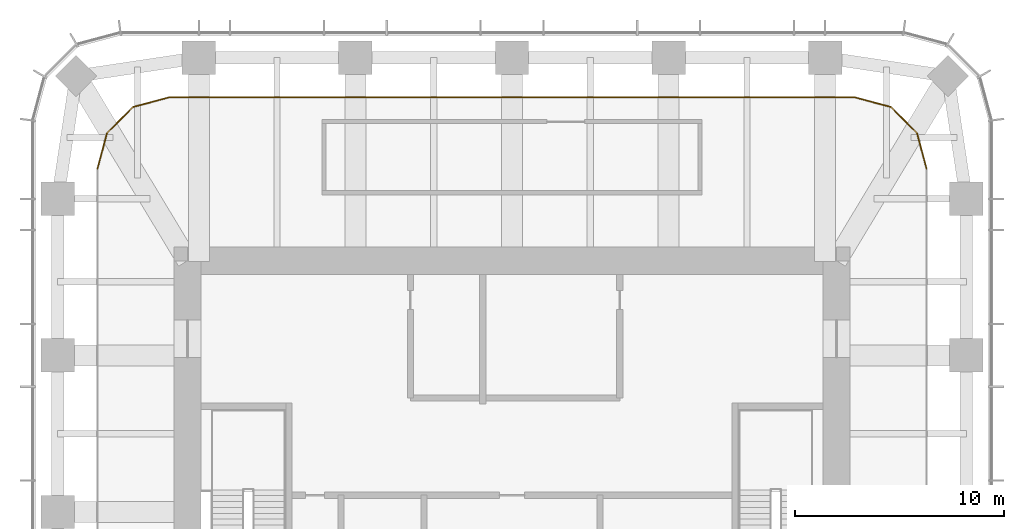
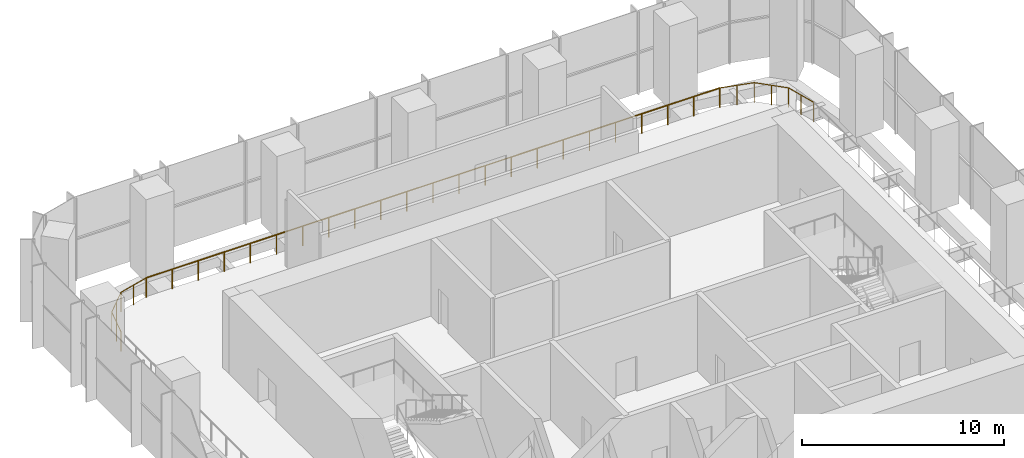
# One storey, part 10 of 10: 3 railings.
"""IFC4 building model written with IfcOpenShell, lengths in metres."""

from ifc_helpers import new_model, si_unit, direction, frame, origin, origin_2d, place, context, subcontext, project, spatial, circle, extrude, material, type_object, element, save


model = new_model("IFC4")

# Units and contexts
model_context = context("Model", 3, precision=1e-05, world=origin(), true_north=direction((0.0, 1.0)))
body_context = subcontext(model_context, "Body", "Model", "MODEL_VIEW")
ifc_project = project(units=[si_unit("LENGTHUNIT", "METRE"), si_unit("AREAUNIT", "SQUARE_METRE"), si_unit("VOLUMEUNIT", "CUBIC_METRE"), si_unit("PLANEANGLEUNIT", "RADIAN"), si_unit("MASSUNIT", "GRAM", prefix="KILO")], contexts=[model_context])

# Site, building, storey
site_placement = place(None, origin())
site = spatial("IfcSite", under=ifc_project, at=site_placement, CompositionType="ELEMENT")
building_placement = place(site_placement, origin())
building = spatial("IfcBuilding", under=site, at=building_placement, Name="Khuree Lantern Residences", CompositionType="ELEMENT")
storey_placement = place(building_placement, frame((0.0, 0.0, 358.25)))
storey = spatial("IfcBuildingStorey", under=building, at=storey_placement, Name="L90", CompositionType="ELEMENT", Elevation=358.25)

# Railings
ifc_material = material(Name="Bronze anodised aluminium balustrade with infill bars", Category="aluminium")
railing_type = type_object("IfcRailingType", Name="GALLERY GUARD G2 1200", PredefinedType="GUARDRAIL", material=ifc_material)
railing_1_placement = place(storey_placement, frame((19.800048828125, 16.39990234375, 0.0)))
element("IfcRailing", 1, at=railing_1_placement, inside=storey, type_object=railing_type, Name="L90 NORTH-EAST CORNER GALLERY GUARD", PredefinedType="GUARDRAIL", context=body_context, shape_type="SweptSolid", body=[
    extrude(circle(Radius=0.02392578125, at=origin_2d()), frame((0.0, 0.0, 1.17626953125), z_axis=(-0.258819281137, 0.965925763044, 0.0), x_axis=(-0.965925763044, -0.258819281137, 0.0)), (0.0, 0.0, 1.0), 1.76025390625),
    extrude(circle(Radius=0.02392578125, at=origin_2d()), frame((-0.45556640625, 1.7001953125, 1.17626953125), z_axis=(-0.707106781187, 0.707106781187, 0.0), x_axis=(-0.707106781187, -0.707106781187, 0.0)), (0.0, 0.0, 1.0), 1.759765625),
    extrude(circle(Radius=0.02392578125, at=origin_2d()), frame((-1.699951171875, 2.944580078125, 1.17626953125), z_axis=(-0.965925763044, 0.258819281137, 0.0), x_axis=(-0.258819281137, -0.965925763044, 0.0)), (0.0, 0.0, 1.0), 1.76025390625),
    extrude(circle(Radius=0.02099609375, at=origin_2d()), origin(), (0.0, 0.0, 1.0), 1.152099609375),
    extrude(circle(Radius=0.02099609375, at=origin_2d()), frame((-0.227783203125, 0.85009765625, 0.0)), (0.0, 0.0, 1.0), 1.152099609375),
    extrude(circle(Radius=0.02099609375, at=origin_2d()), frame((-0.45556640625, 1.7001953125, 0.0)), (0.0, 0.0, 1.0), 1.152099609375),
    extrude(circle(Radius=0.02099609375, at=origin_2d()), frame((-1.07763671875, 2.322265625, 0.0)), (0.0, 0.0, 1.0), 1.152099609375),
    extrude(circle(Radius=0.02099609375, at=origin_2d()), frame((-1.699951171875, 2.944580078125, 0.0)), (0.0, 0.0, 1.0), 1.152099609375),
    extrude(circle(Radius=0.02099609375, at=origin_2d()), frame((-2.550048828125, 3.17236328125, 0.0)), (0.0, 0.0, 1.0), 1.152099609375),
    extrude(circle(Radius=0.02099609375, at=origin_2d()), frame((-3.400146484375, 3.400146484375, 0.0)), (0.0, 0.0, 1.0), 1.152099609375),
])
railing_2_placement = place(storey_placement, frame((16.39990234375, 19.800048828125, 0.0)))
element("IfcRailing", 2, at=railing_2_placement, inside=storey, type_object=railing_type, Name="L90 NORTH FACE GALLERY GUARD", PredefinedType="GUARDRAIL", context=body_context, shape_type="SweptSolid", body=[
    extrude(circle(Radius=0.02392578125, at=origin_2d()), frame((0.0, 0.0, 1.17626953125), z_axis=(-1.0, 0.0, 0.0), x_axis=(0.0, -1.0, 0.0)), (0.0, 0.0, 1.0), 32.7998046875),
    extrude(circle(Radius=0.02099609375, at=origin_2d()), origin(), (0.0, 0.0, 1.0), 1.152099609375),
    extrude(circle(Radius=0.02099609375, at=origin_2d()), frame((-1.490966796875, 0.0, 0.0)), (0.0, 0.0, 1.0), 1.152099609375),
    extrude(circle(Radius=0.02099609375, at=origin_2d()), frame((-2.981689453125, 0.0, 0.0)), (0.0, 0.0, 1.0), 1.152099609375),
    extrude(circle(Radius=0.02099609375, at=origin_2d()), frame((-4.47265625, 0.0, 0.0)), (0.0, 0.0, 1.0), 1.152099609375),
    extrude(circle(Radius=0.02099609375, at=origin_2d()), frame((-5.963623046875, 0.0, 0.0)), (0.0, 0.0, 1.0), 1.152099609375),
    extrude(circle(Radius=0.02099609375, at=origin_2d()), frame((-7.45458984375, 0.0, 0.0)), (0.0, 0.0, 1.0), 1.152099609375),
    extrude(circle(Radius=0.02099609375, at=origin_2d()), frame((-8.9453125, 0.0, 0.0)), (0.0, 0.0, 1.0), 1.152099609375),
    extrude(circle(Radius=0.02099609375, at=origin_2d()), frame((-10.436279296875, 0.0, 0.0)), (0.0, 0.0, 1.0), 1.152099609375),
    extrude(circle(Radius=0.02099609375, at=origin_2d()), frame((-11.92724609375, 0.0, 0.0)), (0.0, 0.0, 1.0), 1.152099609375),
    extrude(circle(Radius=0.02099609375, at=origin_2d()), frame((-13.418212890625, 0.0, 0.0)), (0.0, 0.0, 1.0), 1.152099609375),
    extrude(circle(Radius=0.02099609375, at=origin_2d()), frame((-14.908935546875, 0.0, 0.0)), (0.0, 0.0, 1.0), 1.152099609375),
    extrude(circle(Radius=0.02099609375, at=origin_2d()), frame((-16.39990234375, 0.0, 0.0)), (0.0, 0.0, 1.0), 1.152099609375),
    extrude(circle(Radius=0.02099609375, at=origin_2d()), frame((-17.890869140625, 0.0, 0.0)), (0.0, 0.0, 1.0), 1.152099609375),
    extrude(circle(Radius=0.02099609375, at=origin_2d()), frame((-19.381591796875, 0.0, 0.0)), (0.0, 0.0, 1.0), 1.152099609375),
    extrude(circle(Radius=0.02099609375, at=origin_2d()), frame((-20.87255859375, 0.0, 0.0)), (0.0, 0.0, 1.0), 1.152099609375),
    extrude(circle(Radius=0.02099609375, at=origin_2d()), frame((-22.363525390625, 0.0, 0.0)), (0.0, 0.0, 1.0), 1.152099609375),
    extrude(circle(Radius=0.02099609375, at=origin_2d()), frame((-23.8544921875, 0.0, 0.0)), (0.0, 0.0, 1.0), 1.152099609375),
    extrude(circle(Radius=0.02099609375, at=origin_2d()), frame((-25.34521484375, 0.0, 0.0)), (0.0, 0.0, 1.0), 1.152099609375),
    extrude(circle(Radius=0.02099609375, at=origin_2d()), frame((-26.836181640625, 0.0, 0.0)), (0.0, 0.0, 1.0), 1.152099609375),
    extrude(circle(Radius=0.02099609375, at=origin_2d()), frame((-28.3271484375, 0.0, 0.0)), (0.0, 0.0, 1.0), 1.152099609375),
    extrude(circle(Radius=0.02099609375, at=origin_2d()), frame((-29.818115234375, 0.0, 0.0)), (0.0, 0.0, 1.0), 1.152099609375),
    extrude(circle(Radius=0.02099609375, at=origin_2d()), frame((-31.308837890625, 0.0, 0.0)), (0.0, 0.0, 1.0), 1.152099609375),
    extrude(circle(Radius=0.02099609375, at=origin_2d()), frame((-32.7998046875, 0.0, 0.0)), (0.0, 0.0, 1.0), 1.152099609375),
])
railing_3_placement = place(storey_placement, frame((-16.39990234375, 19.800048828125, 0.0)))
element("IfcRailing", 3, at=railing_3_placement, inside=storey, type_object=railing_type, Name="L90 NORTH-WEST CORNER GALLERY GUARD", PredefinedType="GUARDRAIL", context=body_context, shape_type="SweptSolid", body=[
    extrude(circle(Radius=0.02392578125, at=origin_2d()), frame((0.0, 0.0, 1.17626953125), z_axis=(-0.965925763044, -0.258819281137, 0.0), x_axis=(0.258819281137, -0.965925763044, 0.0)), (0.0, 0.0, 1.0), 1.76025390625),
    extrude(circle(Radius=0.02392578125, at=origin_2d()), frame((-1.7001953125, -0.45556640625, 1.17626953125), z_axis=(-0.707106781187, -0.707106781187, 0.0), x_axis=(0.707106781187, -0.707106781187, 0.0)), (0.0, 0.0, 1.0), 1.759765625),
    extrude(circle(Radius=0.02392578125, at=origin_2d()), frame((-2.944580078125, -1.699951171875, 1.17626953125), z_axis=(-0.258819281137, -0.965925763044, 0.0), x_axis=(0.965925763044, -0.258819281137, 0.0)), (0.0, 0.0, 1.0), 1.76025390625),
    extrude(circle(Radius=0.02099609375, at=origin_2d()), origin(), (0.0, 0.0, 1.0), 1.152099609375),
    extrude(circle(Radius=0.02099609375, at=origin_2d()), frame((-0.85009765625, -0.227783203125, 0.0)), (0.0, 0.0, 1.0), 1.152099609375),
    extrude(circle(Radius=0.02099609375, at=origin_2d()), frame((-1.7001953125, -0.45556640625, 0.0)), (0.0, 0.0, 1.0), 1.152099609375),
    extrude(circle(Radius=0.02099609375, at=origin_2d()), frame((-2.322265625, -1.07763671875, 0.0)), (0.0, 0.0, 1.0), 1.152099609375),
    extrude(circle(Radius=0.02099609375, at=origin_2d()), frame((-2.944580078125, -1.699951171875, 0.0)), (0.0, 0.0, 1.0), 1.152099609375),
    extrude(circle(Radius=0.02099609375, at=origin_2d()), frame((-3.17236328125, -2.550048828125, 0.0)), (0.0, 0.0, 1.0), 1.152099609375),
    extrude(circle(Radius=0.02099609375, at=origin_2d()), frame((-3.400146484375, -3.400146484375, 0.0)), (0.0, 0.0, 1.0), 1.152099609375),
])

save(model, "model.ifc")
